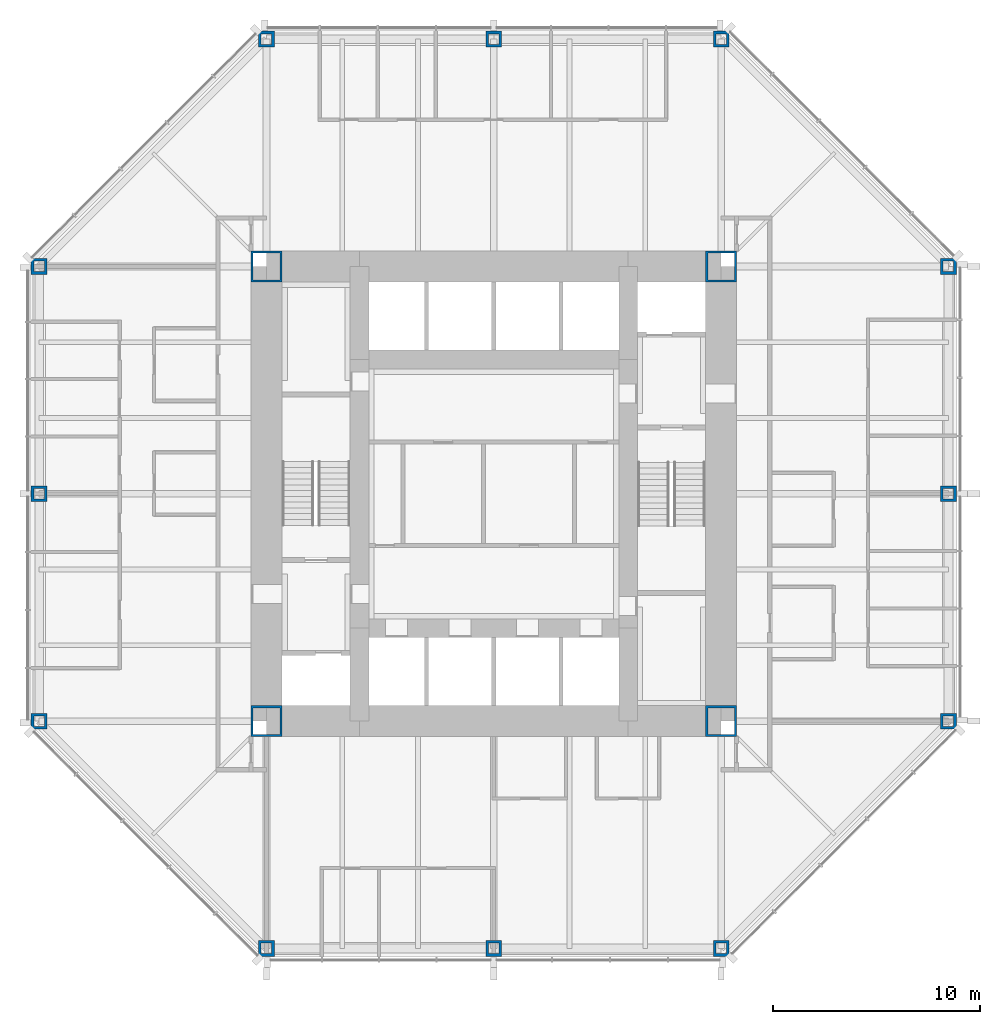
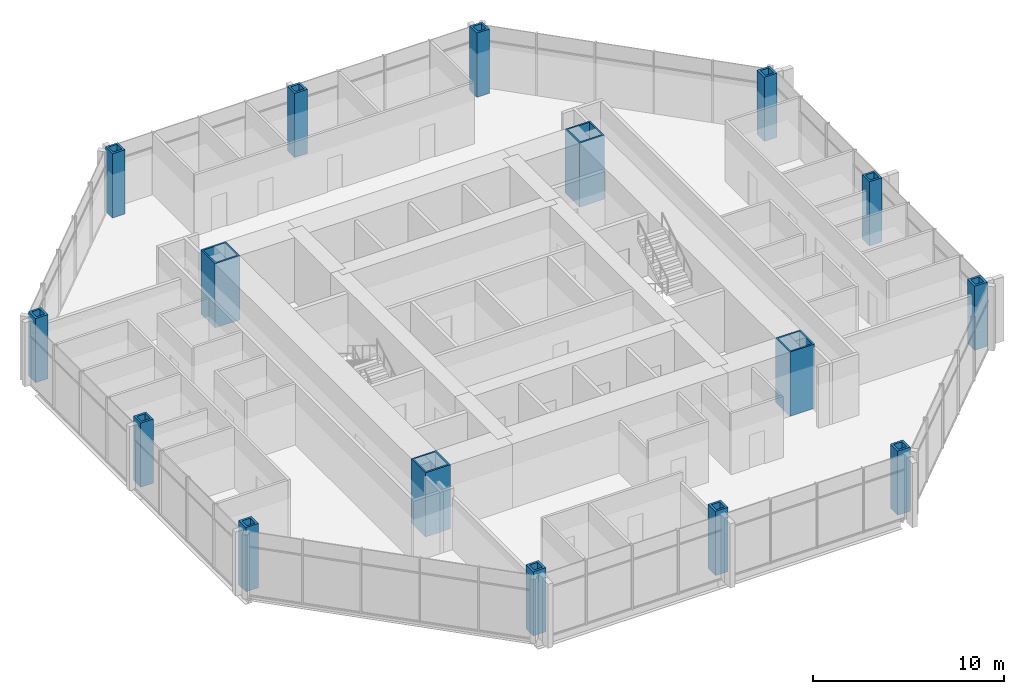
# One storey, part 1 of 12: 16 columns.
"""IFC4 building model written with IfcOpenShell, lengths in metres."""

from ifc_helpers import new_model, si_unit, direction, frame, origin, origin_2d, place, context, subcontext, project, spatial, hollow_rectangle, extrude, material, material_profile, profile_set, type_object, element, save


model = new_model("IFC4")

# Units and contexts
model_context = context("Model", 3, precision=1e-05, world=origin(), true_north=direction((0.0, 1.0)))
body_context = subcontext(model_context, "Body", "Model", "MODEL_VIEW")
ifc_project = project(units=[si_unit("LENGTHUNIT", "METRE"), si_unit("AREAUNIT", "SQUARE_METRE"), si_unit("VOLUMEUNIT", "CUBIC_METRE"), si_unit("PLANEANGLEUNIT", "RADIAN"), si_unit("MASSUNIT", "GRAM", prefix="KILO")], contexts=[model_context])

# Site, building, storey
site_placement = place(None, origin())
site = spatial("IfcSite", under=ifc_project, at=site_placement, CompositionType="ELEMENT")
building_placement = place(site_placement, origin())
building = spatial("IfcBuilding", under=site, at=building_placement, Name="Trevanion Tower", CompositionType="ELEMENT")
storey_placement = place(building_placement, frame((0.0, 0.0, 121.300048828125)))
storey = spatial("IfcBuildingStorey", under=building, at=storey_placement, Name="L28", CompositionType="ELEMENT", Elevation=121.300048828125)

# Columns
ifc_material_1 = material(Name="Steel ASTM A588 Grade 50", Category="steel")
ifc_material_profile_1 = material_profile(ifc_material_1, hollow_rectangle(XDim=0.761962890625, YDim=0.761962890625, WallThickness=0.126953125, at=origin_2d()), Name="BOX30X30X5")
ifc_profile_set_1 = profile_set([ifc_material_profile_1], Name="Steel ASTM A588 Grade 50")
column_type_1 = type_object("IfcColumnType", Name="C4 BOX30X30X5", PredefinedType="COLUMN", material=ifc_profile_set_1)
for number, where, z_axis, x_axis, name in (
    (1, (-22.0, 0.0, 0.0), (0.0, 0.0, 1.0), (0.0, 1.0, 0.0), "C4 4/H L28"),
    (2, (-22.0, -11.0, 0.0), (0.0, 0.0, 1.0), (0.0, 1.0, 0.0), "C4 4/F L28"),
    (3, (-11.0, -22.0, 0.0), (0.0, 0.0, 1.0), (1.0, 0.0, 0.0), "C4 8/B L28"),
    (4, (0.0, -22.0, 0.0), (0.0, 0.0, 1.0), (1.0, 0.0, 0.0), "C4 10/B L28"),
    (5, (11.0, -22.0, 0.0), (0.0, 0.0, 1.0), (1.0, 0.0, 0.0), "C4 12/B L28"),
    (6, (22.0, -11.0, 0.0), (0.0, 0.0, 1.0), (0.0, 1.0, 0.0), "C4 16/F L28"),
    (7, (22.0, 0.0, 0.0), (0.0, 0.0, 1.0), (0.0, 1.0, 0.0), "C4 16/H L28"),
    (8, (22.0, 11.0, 0.0), (0.0, 0.0, 1.0), (0.0, 1.0, 0.0), "C4 16/K L28"),
    (9, (11.0, 22.0, 0.0), (0.0, 0.0, 1.0), (1.0, 0.0, 0.0), "C4 12/P L28"),
    (10, (0.0, 22.0, 0.0), (0.0, 0.0, 1.0), (1.0, 0.0, 0.0), "C4 10/P L28"),
    (11, (-11.0, 22.0, 0.0), (0.0, 0.0, 1.0), (1.0, 0.0, 0.0), "C4 8/P L28"),
    (12, (-22.0, 11.0, 0.0), (0.0, 0.0, 1.0), (0.0, 1.0, 0.0), "C4 4/K L28"),
):
    element("IfcColumn", number, at=place(storey_placement, frame(where, z_axis=z_axis, x_axis=x_axis)), inside=storey, type_object=column_type_1, Name=name, PredefinedType="COLUMN", context=body_context, shape_type="SweptSolid", body=[
        extrude(hollow_rectangle(XDim=0.761962890625, YDim=0.761962890625, WallThickness=0.126953125, at=origin_2d()), origin(), (0.0, 0.0, 1.0), 4.099853515625),
    ])
ifc_material_2 = material(Name="Steel ASTM A572 Grade 50", Category="steel")
ifc_material_profile_2 = material_profile(ifc_material_2, hollow_rectangle(XDim=1.49853515625, YDim=1.49853515625, WallThickness=0.1015625, at=origin_2d()), Name="BOX59X59X4")
ifc_profile_set_2 = profile_set([ifc_material_profile_2], Name="Steel ASTM A572 Grade 50")
column_type_2 = type_object("IfcColumnType", Name="CB1 BOX59X59X4", PredefinedType="COLUMN", material=ifc_profile_set_2)
for number, where, z_axis, x_axis, name in (
    (13, (11.0, 11.0, 0.0), (0.0, 0.0, 1.0), (1.0, 0.0, 0.0), "CB1 NE L28"),
    (14, (-11.0, 11.0, 0.0), (0.0, 0.0, 1.0), (1.0, 0.0, 0.0), "CB1 NW L28"),
    (15, (-11.0, -11.0, 0.0), (0.0, 0.0, 1.0), (1.0, 0.0, 0.0), "CB1 SW L28"),
    (16, (11.0, -11.0, 0.0), (0.0, 0.0, 1.0), (1.0, 0.0, 0.0), "CB1 SE L28"),
):
    element("IfcColumn", number, at=place(storey_placement, frame(where, z_axis=z_axis, x_axis=x_axis)), inside=storey, type_object=column_type_2, Name=name, PredefinedType="COLUMN", context=body_context, shape_type="SweptSolid", body=[
        extrude(hollow_rectangle(XDim=1.49853515625, YDim=1.49853515625, WallThickness=0.1015625, at=origin_2d()), origin(), (0.0, 0.0, 1.0), 4.099853515625),
    ])

save(model, "model.ifc")
